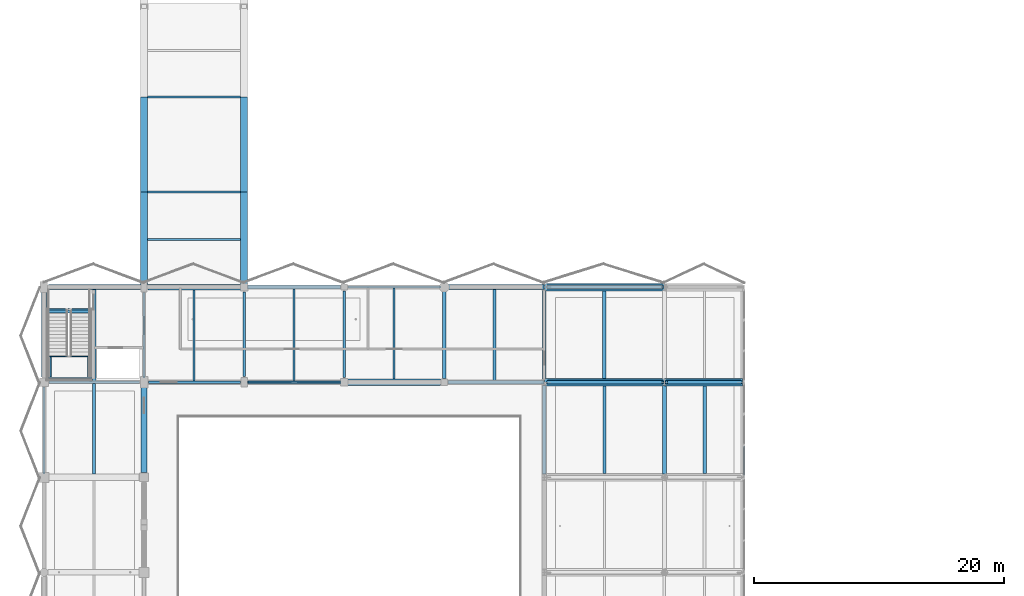
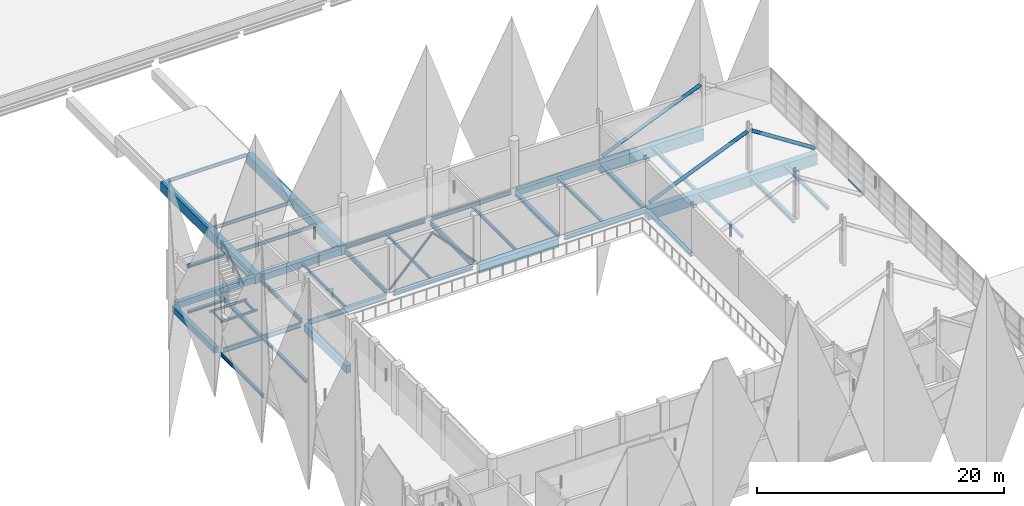
# One storey, part 16 of 107: 45 beams, 6 members, 1 element without a shape of its own.
"""IFC4 building model written with IfcOpenShell, lengths in metres."""

from ifc_helpers import new_model, si_unit, direction, frame, origin, origin_2d, place, context, subcontext, project, spatial, rectangle, hollow_rectangle, hollow_circle, i_section, extrude, material, material_profile, profile_set, type_object, element, aggregate, save


model = new_model("IFC4")

# Units and contexts
model_context = context("Model", 3, precision=1e-05, world=origin(), true_north=direction((0.0, 1.0)))
body_context = subcontext(model_context, "Body", "Model", "MODEL_VIEW")
ifc_project = project(units=[si_unit("LENGTHUNIT", "METRE"), si_unit("AREAUNIT", "SQUARE_METRE"), si_unit("VOLUMEUNIT", "CUBIC_METRE"), si_unit("PLANEANGLEUNIT", "RADIAN"), si_unit("MASSUNIT", "GRAM", prefix="KILO")], contexts=[model_context])

# Site, building, storey
site_placement = place(None, origin())
site = spatial("IfcSite", under=ifc_project, at=site_placement, CompositionType="ELEMENT")
building_placement = place(site_placement, origin())
building = spatial("IfcBuilding", under=site, at=building_placement, Name="Khelvaren Railside Concert Hall", CompositionType="ELEMENT")
storey_placement = place(building_placement, frame((0.0, 0.0, 15.0)))
storey = spatial("IfcBuildingStorey", under=building, at=storey_placement, Name="L03", CompositionType="ELEMENT", Elevation=15.0)

# Beams
ifc_material_1 = material(Name="Steel S355", Category="steel")
ifc_material_profile_1 = material_profile(ifc_material_1, i_section(OverallWidth=0.300048828125, OverallDepth=0.389892578125, WebThickness=0.010986328125, FlangeThickness=0.01904296875, FilletRadius=0.027099609375, at=origin_2d()), Name="HEA 400")
ifc_profile_set_1 = profile_set([ifc_material_profile_1], Name="Steel S355")
beam_type_1 = type_object("IfcBeamType", Name="BM23", PredefinedType="BEAM", material=ifc_profile_set_1)
for number, where, z_axis, x_axis, name in (
    (1, (40.0, 38.25, -0.47509765625), (0.0, 1.0, 0.0), (-1.0, 0.0, 0.0), "V1 L03 Beam Y6.6"),
    (2, (49.60009765625, 30.64990234375, -0.47509765625), (0.0, 1.0, 0.0), (-1.0, 0.0, 0.0), "V1 L03 Beam Y7.5"),
):
    element("IfcBeam", number, at=place(storey_placement, frame(where, z_axis=z_axis, x_axis=x_axis)), inside=storey, type_object=beam_type_1, Name=name, PredefinedType="BEAM", context=body_context, shape_type="SweptSolid", body=[
        extrude(i_section(OverallWidth=0.300048828125, OverallDepth=0.389892578125, WebThickness=0.010986328125, FlangeThickness=0.01904296875, FilletRadius=0.027099609375, at=origin_2d()), origin(), (0.0, 0.0, 1.0), 7.10009765625),
    ])
ifc_material_profile_2 = material_profile(ifc_material_1, i_section(OverallWidth=0.179931640625, OverallDepth=0.39990234375, WebThickness=0.008544921875, FlangeThickness=0.013427734375, FilletRadius=0.02099609375, at=origin_2d()), Name="IPE 400")
ifc_profile_set_2 = profile_set([ifc_material_profile_2], Name="Steel S355")
beam_type_2 = type_object("IfcBeamType", Name="BM29", PredefinedType="BEAM", material=ifc_profile_set_2)
beam_1_placement = place(storey_placement, frame((8.0, 38.35009765625, -0.47998046875), z_axis=(0.0, 1.0, 0.0), x_axis=(-1.0, 0.0, 0.0)))
element("IfcBeam", 3, at=beam_1_placement, inside=storey, type_object=beam_type_2, Name="V1 L03 Beam Y2.6", PredefinedType="BEAM", context=body_context, shape_type="SweptSolid", body=[
    extrude(i_section(OverallWidth=0.179931640625, OverallDepth=0.39990234375, WebThickness=0.008544921875, FlangeThickness=0.013427734375, FilletRadius=0.02099609375, at=origin_2d()), origin(), (0.0, 0.0, 1.0), 6.7998046875),
])
ifc_material_profile_3 = material_profile(ifc_material_1, i_section(OverallWidth=0.239990234375, OverallDepth=0.22998046875, WebThickness=0.007568359375, FlangeThickness=0.011962890625, FilletRadius=0.02099609375, at=origin_2d()), Name="HEA 240")
ifc_profile_set_3 = profile_set([ifc_material_profile_3], Name="Steel S355")
beam_type_3 = type_object("IfcBeamType", Name="BM42", PredefinedType="BEAM", material=ifc_profile_set_3)
beam_2_placement = place(storey_placement, frame((0.344970703125, 43.63916015625, -0.114990234375), z_axis=(1.0, 0.0, 0.0), x_axis=(0.0, 1.0, 0.0)))
element("IfcBeam", 4, at=beam_2_placement, inside=storey, type_object=beam_type_3, Name="ST-11 L03 Stair Foot Trimmer Beam", PredefinedType="BEAM", context=body_context, shape_type="SweptSolid", body=[
    extrude(i_section(OverallWidth=0.239990234375, OverallDepth=0.22998046875, WebThickness=0.007568359375, FlangeThickness=0.011962890625, FilletRadius=0.02099609375, at=origin_2d()), origin(), (0.0, 0.0, 1.0), 3.4951171875),
])
ifc_material_profile_4 = material_profile(ifc_material_1, i_section(OverallWidth=0.199951171875, OverallDepth=0.5, WebThickness=0.01025390625, FlangeThickness=0.01611328125, FilletRadius=0.02099609375, at=origin_2d()), Name="IPE 500")
ifc_profile_set_4 = profile_set([ifc_material_profile_4], Name="Steel S355")
beam_type_4 = type_object("IfcBeamType", Name="BM62", PredefinedType="BEAM", material=ifc_profile_set_4)
beam_3_placement = place(storey_placement, frame((8.35009765625, 38.0, -0.530029296875), z_axis=(1.0, 0.0, 0.0), x_axis=(0.0, 1.0, 0.0)))
element("IfcBeam", 5, at=beam_3_placement, inside=storey, type_object=beam_type_4, Name="V1 L03 Beam X6.2", PredefinedType="BEAM", context=body_context, shape_type="SweptSolid", body=[
    extrude(i_section(OverallWidth=0.199951171875, OverallDepth=0.5, WebThickness=0.01025390625, FlangeThickness=0.01611328125, FilletRadius=0.02099609375, at=origin_2d()), origin(), (0.0, 0.0, 1.0), 7.349853515625),
])
beam_4_placement = place(storey_placement, frame((24.0, 38.375, -0.530029296875), z_axis=(0.0, 1.0, 0.0), x_axis=(-1.0, 0.0, 0.0)))
element("IfcBeam", 6, at=beam_4_placement, inside=storey, type_object=beam_type_4, Name="V1 L03 Beam Y4.6", PredefinedType="BEAM", context=body_context, shape_type="SweptSolid", body=[
    extrude(i_section(OverallWidth=0.199951171875, OverallDepth=0.5, WebThickness=0.01025390625, FlangeThickness=0.01611328125, FilletRadius=0.02099609375, at=origin_2d()), origin(), (0.0, 0.0, 1.0), 6.925048828125),
])
ifc_material_profile_5 = material_profile(ifc_material_1, i_section(OverallWidth=0.300048828125, OverallDepth=0.35009765625, WebThickness=0.010009765625, FlangeThickness=0.017578125, FilletRadius=0.027099609375, at=origin_2d()), Name="HEA 360")
ifc_profile_set_5 = profile_set([ifc_material_profile_5], Name="Steel S355")
beam_type_5 = type_object("IfcBeamType", Name="BM73", PredefinedType="BEAM", material=ifc_profile_set_5)
beam_5_placement = place(storey_placement, frame((16.300048828125, 38.0, -0.455078125), z_axis=(1.0, 0.0, 0.0), x_axis=(0.0, 1.0, 0.0)))
element("IfcBeam", 7, at=beam_5_placement, inside=storey, type_object=beam_type_5, Name="V1 L03 Beam X6.3", PredefinedType="BEAM", context=body_context, shape_type="SweptSolid", body=[
    extrude(i_section(OverallWidth=0.300048828125, OverallDepth=0.35009765625, WebThickness=0.010009765625, FlangeThickness=0.017578125, FilletRadius=0.027099609375, at=origin_2d()), origin(), (0.0, 0.0, 1.0), 7.449951171875),
])
beam_6_placement = place(storey_placement, frame((32.0, 38.300048828125, -0.455078125), z_axis=(0.0, 1.0, 0.0), x_axis=(-1.0, 0.0, 0.0)))
element("IfcBeam", 8, at=beam_6_placement, inside=storey, type_object=beam_type_5, Name="V1 L03 Beam Y5.6", PredefinedType="BEAM", context=body_context, shape_type="SweptSolid", body=[
    extrude(i_section(OverallWidth=0.300048828125, OverallDepth=0.35009765625, WebThickness=0.010009765625, FlangeThickness=0.017578125, FilletRadius=0.027099609375, at=origin_2d()), origin(), (0.0, 0.0, 1.0), 7.050048828125),
])
beam_7_placement = place(storey_placement, frame((40.0, 30.64990234375, -0.455078125), z_axis=(0.0, 1.0, 0.0), x_axis=(-1.0, 0.0, 0.0)))
element("IfcBeam", 9, at=beam_7_placement, inside=storey, type_object=beam_type_5, Name="V1 L03 Beam Y6.5", PredefinedType="BEAM", context=body_context, shape_type="SweptSolid", body=[
    extrude(i_section(OverallWidth=0.300048828125, OverallDepth=0.35009765625, WebThickness=0.010009765625, FlangeThickness=0.017578125, FilletRadius=0.027099609375, at=origin_2d()), origin(), (0.0, 0.0, 1.0), 7.10009765625),
])
ifc_material_2 = material(Name="Concrete C40/50", Category="concrete")
ifc_material_profile_6 = material_profile(ifc_material_2, rectangle(XDim=0.449951171875, YDim=0.75, at=origin_2d()), Name="RCB 450x750")
ifc_profile_set_6 = profile_set([ifc_material_profile_6], Name="Concrete C40/50")
beam_type_6 = type_object("IfcBeamType", Name="BM83", PredefinedType="BEAM", material=ifc_profile_set_6)
beam_8_placement = place(storey_placement, frame((8.0, 30.800048828125, -0.655029296875), z_axis=(0.0, 1.0, 0.0), x_axis=(-1.0, 0.0, 0.0)))
element("IfcBeam", 10, at=beam_8_placement, inside=storey, type_object=beam_type_6, Name="V1 L03 Beam Y2.5", PredefinedType="BEAM", context=body_context, shape_type="SweptSolid", body=[
    extrude(rectangle(XDim=0.449951171875, YDim=0.75, at=origin_2d()), origin(), (0.0, 0.0, 1.0), 6.849853515625),
])
ifc_material_profile_7 = material_profile(ifc_material_1, i_section(OverallWidth=0.110107421875, OverallDepth=0.219970703125, WebThickness=0.005859375, FlangeThickness=0.00927734375, FilletRadius=0.011962890625, at=origin_2d()), Name="IPE 220")
ifc_profile_set_7 = profile_set([ifc_material_profile_7], Name="Steel S355")
beam_type_7 = type_object("IfcBeamType", Name="BM87", PredefinedType="BEAM", material=ifc_profile_set_7)
for number, where, z_axis, x_axis, name in (
    (11, (0.344970703125, 40.054931640625, 2.090087890625), (1.0, 0.0, 0.0), (0.0, 1.0, 0.0), "ST-11 L03 Half-Landing Front Beam"),
    (12, (0.344970703125, 38.360107421875, 2.090087890625), (1.0, 0.0, 0.0), (0.0, 1.0, 0.0), "ST-11 L03 Half-Landing Rear Beam"),
):
    element("IfcBeam", number, at=place(storey_placement, frame(where, z_axis=z_axis, x_axis=x_axis)), inside=storey, type_object=beam_type_7, Name=name, PredefinedType="BEAM", context=body_context, shape_type="SweptSolid", body=[
        extrude(i_section(OverallWidth=0.110107421875, OverallDepth=0.219970703125, WebThickness=0.005859375, FlangeThickness=0.00927734375, FilletRadius=0.011962890625, at=origin_2d()), origin(), (0.0, 0.0, 1.0), 3.4951171875),
    ])
for number, where, z_axis, x_axis, name in (
    (13, (0.550048828125, 38.4150390625, 2.090087890625), (0.0, 1.0, 0.0), (-1.0, 0.0, 0.0), "ST-11 L03 Half-Landing Side Tie W"),
    (14, (3.550048828125, 38.4150390625, 2.090087890625), (0.0, 1.0, 0.0), (-1.0, 0.0, 0.0), "ST-11 L03 Half-Landing Side Tie E"),
):
    element("IfcBeam", number, at=place(storey_placement, frame(where, z_axis=z_axis, x_axis=x_axis)), inside=storey, type_object=beam_type_7, Name=name, PredefinedType="BEAM", context=body_context, shape_type="SweptSolid", body=[
        extrude(i_section(OverallWidth=0.110107421875, OverallDepth=0.219970703125, WebThickness=0.005859375, FlangeThickness=0.00927734375, FilletRadius=0.011962890625, at=origin_2d()), origin(), (0.0, 0.0, 1.0), 1.5849609375),
    ])
ifc_material_profile_8 = material_profile(ifc_material_1, i_section(OverallWidth=0.300048828125, OverallDepth=0.43994140625, WebThickness=0.011474609375, FlangeThickness=0.02099609375, FilletRadius=0.027099609375, at=origin_2d()), Name="HEA 450")
ifc_profile_set_8 = profile_set([ifc_material_profile_8], Name="Steel S355")
beam_type_8 = type_object("IfcBeamType", Name="BM89", PredefinedType="BEAM", material=ifc_profile_set_8)
beam_9_placement = place(storey_placement, frame((32.300048828125, 38.0, -0.5), z_axis=(1.0, 0.0, 0.0), x_axis=(0.0, 1.0, 0.0)))
element("IfcBeam", 15, at=beam_9_placement, inside=storey, type_object=beam_type_8, Name="V1 L03 Beam X6.5", PredefinedType="BEAM", context=body_context, shape_type="SweptSolid", body=[
    extrude(i_section(OverallWidth=0.300048828125, OverallDepth=0.43994140625, WebThickness=0.011474609375, FlangeThickness=0.02099609375, FilletRadius=0.027099609375, at=origin_2d()), origin(), (0.0, 0.0, 1.0), 7.68994140625),
])
ifc_material_profile_9 = material_profile(ifc_material_1, i_section(OverallWidth=0.280029296875, OverallDepth=0.27001953125, WebThickness=0.008056640625, FlangeThickness=0.012939453125, FilletRadius=0.02392578125, at=origin_2d()), Name="HEA 280")
ifc_profile_set_9 = profile_set([ifc_material_profile_9], Name="Steel S355")
beam_type_9 = type_object("IfcBeamType", Name="BM93", PredefinedType="BEAM", material=ifc_profile_set_9)
beam_10_placement = place(storey_placement, frame((0.344970703125, 43.739990234375, 4.317626953125), z_axis=(1.0, 0.0, 0.0), x_axis=(0.0, 1.0, 0.0)))
element("IfcBeam", 16, at=beam_10_placement, inside=storey, type_object=beam_type_9, Name="ST-11 L03 Stair Top Arrival Trimmer Beam", PredefinedType="BEAM", context=body_context, shape_type="SweptSolid", body=[
    extrude(i_section(OverallWidth=0.280029296875, OverallDepth=0.27001953125, WebThickness=0.008056640625, FlangeThickness=0.012939453125, FilletRadius=0.02392578125, at=origin_2d()), origin(), (0.0, 0.0, 1.0), 3.4951171875),
])
ifc_material_profile_10 = material_profile(ifc_material_1, i_section(OverallWidth=0.18994140625, OverallDepth=0.449951171875, WebThickness=0.009521484375, FlangeThickness=0.0146484375, FilletRadius=0.02099609375, at=origin_2d()), Name="IPE 450")
ifc_profile_set_10 = profile_set([ifc_material_profile_10], Name="Steel S355")
beam_type_10 = type_object("IfcBeamType", Name="BM95", PredefinedType="BEAM", material=ifc_profile_set_10)
beam_11_placement = place(storey_placement, frame((0.39990234375, 38.0, -0.5048828125), z_axis=(1.0, 0.0, 0.0), x_axis=(0.0, 1.0, 0.0)))
element("IfcBeam", 17, at=beam_11_placement, inside=storey, type_object=beam_type_10, Name="V1 L03 Beam X6.1", PredefinedType="BEAM", context=body_context, shape_type="SweptSolid", body=[
    extrude(i_section(OverallWidth=0.18994140625, OverallDepth=0.449951171875, WebThickness=0.009521484375, FlangeThickness=0.0146484375, FilletRadius=0.02099609375, at=origin_2d()), origin(), (0.0, 0.0, 1.0), 7.25),
])
beam_12_placement = place(storey_placement, frame((16.0, 38.449951171875, -0.5048828125), z_axis=(0.0, 1.0, 0.0), x_axis=(-1.0, 0.0, 0.0)))
element("IfcBeam", 18, at=beam_12_placement, inside=storey, type_object=beam_type_10, Name="V1 L03 Beam Y3.6", PredefinedType="BEAM", context=body_context, shape_type="SweptSolid", body=[
    extrude(i_section(OverallWidth=0.18994140625, OverallDepth=0.449951171875, WebThickness=0.009521484375, FlangeThickness=0.0146484375, FilletRadius=0.02099609375, at=origin_2d()), origin(), (0.0, 0.0, 1.0), 6.775146484375),
])

# Members
ifc_material_profile_11 = material_profile(ifc_material_1, hollow_circle(Radius=0.109619140625, WallThickness=0.012451171875, at=origin_2d()), Name="CHS 219.1x12.5")
ifc_profile_set_11 = profile_set([ifc_material_profile_11], Name="Steel S355")
member_type_1 = type_object("IfcMemberType", Name="BR37", PredefinedType="BRACE", material=ifc_profile_set_11)
for number, where, z_axis, x_axis, name in (
    (19, (16.0, 38.0, 0.050048828125), (0.687079015736, 0.0, 0.726582704263), (0.0, 1.0, 0.0), "V1 L03 Seismic Chevron Brace 37"),
    (20, (24.0, 38.0, 0.050048828125), (-0.687079015736, 0.0, 0.726582704263), (0.0, -1.0, 0.0), "V1 L03 Seismic Chevron Brace 38"),
):
    element("IfcMember", number, at=place(storey_placement, frame(where, z_axis=z_axis, x_axis=x_axis)), inside=storey, type_object=member_type_1, Name=name, PredefinedType="BRACE", context=body_context, shape_type="SweptSolid", body=[
        extrude(hollow_circle(Radius=0.109619140625, WallThickness=0.012451171875, at=origin_2d()), origin(), (0.0, 0.0, 1.0), 5.82177734375),
    ])
ifc_material_profile_12 = material_profile(ifc_material_1, hollow_circle(Radius=0.161865234375, WallThickness=0.01611328125, at=origin_2d()), Name="CHS 323.9x16")
ifc_profile_set_12 = profile_set([ifc_material_profile_12], Name="Steel S355")
member_type_2 = type_object("IfcMemberType", Name="BR78", PredefinedType="BRACE", material=ifc_profile_set_12)
member_1_placement = place(storey_placement, frame((49.75, 38.0, 3.97998046875), z_axis=(0.840849865516, 0.0, -0.541268421083), x_axis=(0.0, 1.0, 0.0)))
element("IfcMember", 21, at=member_1_placement, inside=storey, type_object=member_type_2, Name="V1 L03 Plaza Cantilever Truss Diagonal 6A", PredefinedType="BRACE", context=body_context, shape_type="SweptSolid", body=[
    extrude(hollow_circle(Radius=0.161865234375, WallThickness=0.01611328125, at=origin_2d()), origin(), (0.0, 0.0, 1.0), 7.076171875),
])
for number, where, z_axis, x_axis, name in (
    (22, (40.25, 38.0, 0.14990234375), (0.923192127953, 0.0, 0.384338776194), (0.0, 1.0, 0.0), "V1 L03 Plaza Cantilever Truss Backspan Diagonal 6B"),
    (23, (40.25, 45.60009765625, 0.14990234375), (0.923192127953, 0.0, 0.384338776194), (0.0, 1.0, 0.0), "V1 L03 Plaza Cantilever Truss Backspan Diagonal 7B"),
):
    element("IfcMember", number, at=place(storey_placement, frame(where, z_axis=z_axis, x_axis=x_axis)), inside=storey, type_object=member_type_2, Name=name, PredefinedType="BRACE", context=body_context, shape_type="SweptSolid", body=[
        extrude(hollow_circle(Radius=0.161865234375, WallThickness=0.01611328125, at=origin_2d()), origin(), (0.0, 0.0, 1.0), 9.96533203125),
    ])

# Curtain wall, member
ifc_material_3 = material(Name="Acoustic laminated crystal facade glass", Category="glass")
curtain_wall_type = type_object("IfcCurtainWallType", Name="CW21", PredefinedType="USERDEFINED", material=ifc_material_3)
curtain_wall_placement = place(storey_placement, origin())
curtain_wall = element("IfcCurtainWall", 24, at=curtain_wall_placement, inside=storey, type_object=curtain_wall_type, Name="Unitised Curtain Wall CW-V1-L03-E-30", ObjectType="UNITISED CURTAIN WALL", PredefinedType="USERDEFINED")
ifc_material_4 = material(Name="Anodised architectural aluminium 6063-T6", Category="aluminium")
ifc_material_profile_13 = material_profile(ifc_material_4, hollow_rectangle(XDim=0.0849609375, YDim=0.18994140625, WallThickness=0.0048828125, InnerFilletRadius=0.0029296875, OuterFilletRadius=0.0048828125, at=origin_2d()), Name="CWT 85x190x5")
ifc_profile_set_13 = profile_set([ifc_material_profile_13], Name="Anodised architectural aluminium 6063-T6")
member_type_3 = type_object("IfcMemberType", Name="CWT31", PredefinedType="USERDEFINED", material=ifc_profile_set_13)
member_2_placement = place(storey_placement, frame((55.93994140625, 32.904052734375, 0.04248046875), z_axis=(0.0, -1.0, 0.0), x_axis=(1.0, 0.0, 0.0)))
member_2 = element("IfcMember", 25, at=member_2_placement, type_object=member_type_3, Name="CW21 transom 3.1", ObjectType="TRANSOM", PredefinedType="USERDEFINED", context=body_context, shape_type="SweptSolid", body=[
    extrude(hollow_rectangle(XDim=0.0849609375, YDim=0.18994140625, WallThickness=0.0048828125, InnerFilletRadius=0.0029296875, OuterFilletRadius=0.0048828125, at=origin_2d()), origin(), (0.0, 0.0, 1.0), 2.379150390625),
])
aggregate(curtain_wall, [member_2])

# Beams
ifc_material_profile_14 = material_profile(ifc_material_2, rectangle(XDim=0.60009765625, YDim=1.10009765625, at=origin_2d()), Name="RCB 600x1100")
ifc_profile_set_14 = profile_set([ifc_material_profile_14], Name="Concrete C40/50")
beam_type_11 = type_object("IfcBeamType", Name="GR15", PredefinedType="T_BEAM", material=ifc_profile_set_14)
beam_13_placement = place(storey_placement, frame((40.010009765625, 38.0, -0.830078125), z_axis=(1.0, 0.0, 0.0), x_axis=(0.0, 1.0, 0.0)))
element("IfcBeam", 26, at=beam_13_placement, inside=storey, type_object=beam_type_11, Name="V1 L03 Cantilever Backspan Girder 6", PredefinedType="T_BEAM", context=body_context, shape_type="SweptSolid", body=[
    extrude(rectangle(XDim=0.60009765625, YDim=1.10009765625, at=origin_2d()), origin(), (0.0, 0.0, 1.0), 9.580078125),
])
beam_14_placement = place(storey_placement, frame((49.610107421875, 38.0, -0.830078125), z_axis=(1.0, 0.0, 0.0), x_axis=(0.0, 1.0, 0.0)))
element("IfcBeam", 27, at=beam_14_placement, inside=storey, type_object=beam_type_11, Name="V1 L03 Arrival Cantilever Girder 6", PredefinedType="T_BEAM", context=body_context, shape_type="SweptSolid", body=[
    extrude(rectangle(XDim=0.60009765625, YDim=1.10009765625, at=origin_2d()), origin(), (0.0, 0.0, 1.0), 6.239990234375),
])
beam_15_placement = place(storey_placement, frame((40.010009765625, 45.60009765625, -0.830078125), z_axis=(1.0, 0.0, 0.0), x_axis=(0.0, 1.0, 0.0)))
element("IfcBeam", 28, at=beam_15_placement, inside=storey, type_object=beam_type_11, Name="V1 L03 Cantilever Backspan Girder 7", PredefinedType="T_BEAM", context=body_context, shape_type="SweptSolid", body=[
    extrude(rectangle(XDim=0.60009765625, YDim=1.10009765625, at=origin_2d()), origin(), (0.0, 0.0, 1.0), 9.580078125),
])
ifc_material_profile_15 = material_profile(ifc_material_2, rectangle(XDim=0.550048828125, YDim=0.949951171875, at=origin_2d()), Name="RCB 550x950")
ifc_profile_set_15 = profile_set([ifc_material_profile_15], Name="Concrete C40/50")
beam_type_12 = type_object("IfcBeamType", Name="GR75", PredefinedType="T_BEAM", material=ifc_profile_set_15)
beam_16_placement = place(storey_placement, frame((8.0, 45.60009765625, -0.695068359375), z_axis=(0.0, 1.0, 0.0), x_axis=(-1.0, 0.0, 0.0)))
element("IfcBeam", 29, at=beam_16_placement, inside=storey, type_object=beam_type_12, Name="West Court Chamber Link Bridge L03 Bridge Girder 1.1", PredefinedType="T_BEAM", context=body_context, shape_type="SweptSolid", body=[
    extrude(rectangle(XDim=0.550048828125, YDim=0.949951171875, at=origin_2d()), origin(), (0.0, 0.0, 1.0), 7.599853515625),
])
beam_17_placement = place(storey_placement, frame((8.0, 53.199951171875, -0.695068359375), z_axis=(0.0, 1.0, 0.0), x_axis=(-1.0, 0.0, 0.0)))
element("IfcBeam", 30, at=beam_17_placement, inside=storey, type_object=beam_type_12, Name="West Court Chamber Link Bridge L03 Bridge Girder 1.2", PredefinedType="T_BEAM", context=body_context, shape_type="SweptSolid", body=[
    extrude(rectangle(XDim=0.550048828125, YDim=0.949951171875, at=origin_2d()), origin(), (0.0, 0.0, 1.0), 7.60009765625),
])
beam_18_placement = place(storey_placement, frame((16.0, 45.60009765625, -0.695068359375), z_axis=(0.0, 1.0, 0.0), x_axis=(-1.0, 0.0, 0.0)))
element("IfcBeam", 31, at=beam_18_placement, inside=storey, type_object=beam_type_12, Name="West Court Chamber Link Bridge L03 Bridge Girder 2.1", PredefinedType="T_BEAM", context=body_context, shape_type="SweptSolid", body=[
    extrude(rectangle(XDim=0.550048828125, YDim=0.949951171875, at=origin_2d()), origin(), (0.0, 0.0, 1.0), 7.599853515625),
])
beam_19_placement = place(storey_placement, frame((16.0, 53.199951171875, -0.695068359375), z_axis=(0.0, 1.0, 0.0), x_axis=(-1.0, 0.0, 0.0)))
element("IfcBeam", 32, at=beam_19_placement, inside=storey, type_object=beam_type_12, Name="West Court Chamber Link Bridge L03 Bridge Girder 2.2", PredefinedType="T_BEAM", context=body_context, shape_type="SweptSolid", body=[
    extrude(rectangle(XDim=0.550048828125, YDim=0.949951171875, at=origin_2d()), origin(), (0.0, 0.0, 1.0), 7.60009765625),
])
ifc_material_profile_16 = material_profile(ifc_material_2, rectangle(XDim=0.5, YDim=0.85009765625, at=origin_2d()), Name="RCB 500x850")
ifc_profile_set_16 = profile_set([ifc_material_profile_16], Name="Concrete C40/50")
beam_type_13 = type_object("IfcBeamType", Name="GR96", PredefinedType="T_BEAM", material=ifc_profile_set_16)
beam_20_placement = place(storey_placement, frame((24.25, 38.0, -0.705078125), z_axis=(1.0, 0.0, 0.0), x_axis=(0.0, 1.0, 0.0)))
element("IfcBeam", 33, at=beam_20_placement, inside=storey, type_object=beam_type_13, Name="V1 L03 T_Beam X6.4", PredefinedType="T_BEAM", context=body_context, shape_type="SweptSolid", body=[
    extrude(rectangle(XDim=0.5, YDim=0.85009765625, at=origin_2d()), origin(), (0.0, 0.0, 1.0), 7.449951171875),
])
ifc_material_profile_17 = material_profile(ifc_material_1, i_section(OverallWidth=0.14990234375, OverallDepth=0.300048828125, WebThickness=0.007080078125, FlangeThickness=0.0107421875, FilletRadius=0.014892578125, at=origin_2d()), Name="IPE 300")
ifc_profile_set_17 = profile_set([ifc_material_profile_17], Name="Steel S355")
beam_type_14 = type_object("IfcBeamType", Name="JS26", PredefinedType="JOIST", material=ifc_profile_set_17)
beam_21_placement = place(storey_placement, frame((20.0, 38.14990234375, -0.429931640625), z_axis=(0.0, 1.0, 0.0), x_axis=(-1.0, 0.0, 0.0)))
element("IfcBeam", 34, at=beam_21_placement, inside=storey, type_object=beam_type_14, Name="V1 L03 Secondary Joist 3.6", PredefinedType="JOIST", context=body_context, shape_type="SweptSolid", body=[
    extrude(i_section(OverallWidth=0.14990234375, OverallDepth=0.300048828125, WebThickness=0.007080078125, FlangeThickness=0.0107421875, FilletRadius=0.014892578125, at=origin_2d()), origin(), (0.0, 0.0, 1.0), 7.300048828125),
])
ifc_material_profile_18 = material_profile(ifc_material_1, i_section(OverallWidth=0.280029296875, OverallDepth=0.27001953125, WebThickness=0.008056640625, FlangeThickness=0.012939453125, FilletRadius=0.02392578125, at=origin_2d()), Name="HEA 280")
ifc_profile_set_18 = profile_set([ifc_material_profile_18], Name="Steel S355")
beam_type_15 = type_object("IfcBeamType", Name="JS46", PredefinedType="JOIST", material=ifc_profile_set_18)
beam_22_placement = place(storey_placement, frame((4.0, 38.094970703125, -0.4150390625), z_axis=(0.0, 1.0, 0.0), x_axis=(-1.0, 0.0, 0.0)))
element("IfcBeam", 35, at=beam_22_placement, inside=storey, type_object=beam_type_15, Name="V1 L03 Secondary Joist 1.6", PredefinedType="JOIST", context=body_context, shape_type="SweptSolid", body=[
    extrude(i_section(OverallWidth=0.280029296875, OverallDepth=0.27001953125, WebThickness=0.008056640625, FlangeThickness=0.012939453125, FilletRadius=0.02392578125, at=origin_2d()), origin(), (0.0, 0.0, 1.0), 7.304931640625),
])
for number, where, z_axis, x_axis, name in (
    (36, (44.800048828125, 38.300048828125, -0.4150390625), (0.0, 1.0, 0.0), (-1.0, 0.0, 0.0), "V1 L03 Secondary Joist 6.6"),
    (37, (52.800048828125, 30.699951171875, -0.4150390625), (0.0, 1.0, 0.0), (-1.0, 0.0, 0.0), "V1 L03 Secondary Joist 7.5"),
):
    element("IfcBeam", number, at=place(storey_placement, frame(where, z_axis=z_axis, x_axis=x_axis)), inside=storey, type_object=beam_type_15, Name=name, PredefinedType="JOIST", context=body_context, shape_type="SweptSolid", body=[
        extrude(i_section(OverallWidth=0.280029296875, OverallDepth=0.27001953125, WebThickness=0.008056640625, FlangeThickness=0.012939453125, FilletRadius=0.02392578125, at=origin_2d()), origin(), (0.0, 0.0, 1.0), 7.0),
    ])
ifc_material_profile_19 = material_profile(ifc_material_1, i_section(OverallWidth=0.159912109375, OverallDepth=0.330078125, WebThickness=0.007568359375, FlangeThickness=0.011474609375, FilletRadius=0.01806640625, at=origin_2d()), Name="IPE 330")
ifc_profile_set_19 = profile_set([ifc_material_profile_19], Name="Steel S355")
beam_type_16 = type_object("IfcBeamType", Name="JS65", PredefinedType="JOIST", material=ifc_profile_set_19)
for number, where, z_axis, x_axis, name in (
    (38, (8.27490234375, 53.199951171875, -0.385009765625), (1.0, 0.0, 0.0), (0.0, 1.0, 0.0), "West Court Chamber Link Bridge L03 Bridge Cross Joist 1"),
    (39, (8.27490234375, 60.800048828125, -0.385009765625), (1.0, 0.0, 0.0), (0.0, 1.0, 0.0), "West Court Chamber Link Bridge L03 Bridge Cross Joist 2"),
    (40, (8.27490234375, 49.39990234375, -0.385009765625), (1.0, 0.0, 0.0), (0.0, 1.0, 0.0), "West Court Chamber Link Bridge L03 Bridge Cross Joist 3"),
):
    element("IfcBeam", number, at=place(storey_placement, frame(where, z_axis=z_axis, x_axis=x_axis)), inside=storey, type_object=beam_type_16, Name=name, PredefinedType="JOIST", context=body_context, shape_type="SweptSolid", body=[
        extrude(i_section(OverallWidth=0.159912109375, OverallDepth=0.330078125, WebThickness=0.007568359375, FlangeThickness=0.011474609375, FilletRadius=0.01806640625, at=origin_2d()), origin(), (0.0, 0.0, 1.0), 7.4501953125),
    ])
beam_23_placement = place(storey_placement, frame((28.0, 38.25, -0.445068359375), z_axis=(0.0, 1.0, 0.0), x_axis=(-1.0, 0.0, 0.0)))
element("IfcBeam", 41, at=beam_23_placement, inside=storey, type_object=beam_type_16, Name="V1 L03 Secondary Joist 4.6", PredefinedType="JOIST", context=body_context, shape_type="SweptSolid", body=[
    extrude(i_section(OverallWidth=0.159912109375, OverallDepth=0.330078125, WebThickness=0.007568359375, FlangeThickness=0.011474609375, FilletRadius=0.01806640625, at=origin_2d()), origin(), (0.0, 0.0, 1.0), 7.264892578125),
])
ifc_material_profile_20 = material_profile(ifc_material_1, i_section(OverallWidth=0.239990234375, OverallDepth=0.22998046875, WebThickness=0.007568359375, FlangeThickness=0.011962890625, FilletRadius=0.02099609375, at=origin_2d()), Name="HEA 240")
ifc_profile_set_20 = profile_set([ifc_material_profile_20], Name="Steel S355")
beam_type_17 = type_object("IfcBeamType", Name="JS76", PredefinedType="JOIST", material=ifc_profile_set_20)
beam_24_placement = place(storey_placement, frame((4.0, 30.675048828125, -0.39501953125), z_axis=(0.0, 1.0, 0.0), x_axis=(-1.0, 0.0, 0.0)))
element("IfcBeam", 42, at=beam_24_placement, inside=storey, type_object=beam_type_17, Name="V1 L03 Secondary Joist 1.5", PredefinedType="JOIST", context=body_context, shape_type="SweptSolid", body=[
    extrude(i_section(OverallWidth=0.239990234375, OverallDepth=0.22998046875, WebThickness=0.007568359375, FlangeThickness=0.011962890625, FilletRadius=0.02099609375, at=origin_2d()), origin(), (0.0, 0.0, 1.0), 7.22998046875),
])
beam_25_placement = place(storey_placement, frame((36.0, 38.14990234375, -0.39501953125), z_axis=(0.0, 1.0, 0.0), x_axis=(-1.0, 0.0, 0.0)))
element("IfcBeam", 43, at=beam_25_placement, inside=storey, type_object=beam_type_17, Name="V1 L03 Secondary Joist 5.6", PredefinedType="JOIST", context=body_context, shape_type="SweptSolid", body=[
    extrude(i_section(OverallWidth=0.239990234375, OverallDepth=0.22998046875, WebThickness=0.007568359375, FlangeThickness=0.011962890625, FilletRadius=0.02099609375, at=origin_2d()), origin(), (0.0, 0.0, 1.0), 7.25),
])
beam_26_placement = place(storey_placement, frame((44.800048828125, 30.699951171875, -0.39501953125), z_axis=(0.0, 1.0, 0.0), x_axis=(-1.0, 0.0, 0.0)))
element("IfcBeam", 44, at=beam_26_placement, inside=storey, type_object=beam_type_17, Name="V1 L03 Secondary Joist 6.5", PredefinedType="JOIST", context=body_context, shape_type="SweptSolid", body=[
    extrude(i_section(OverallWidth=0.239990234375, OverallDepth=0.22998046875, WebThickness=0.007568359375, FlangeThickness=0.011962890625, FilletRadius=0.02099609375, at=origin_2d()), origin(), (0.0, 0.0, 1.0), 7.0),
])
ifc_material_profile_21 = material_profile(ifc_material_1, i_section(OverallWidth=0.135009765625, OverallDepth=0.27001953125, WebThickness=0.006591796875, FlangeThickness=0.01025390625, FilletRadius=0.014892578125, at=origin_2d()), Name="IPE 270")
ifc_profile_set_21 = profile_set([ifc_material_profile_21], Name="Steel S355")
beam_type_18 = type_object("IfcBeamType", Name="JS78", PredefinedType="JOIST", material=ifc_profile_set_21)
beam_27_placement = place(storey_placement, frame((12.0, 38.10009765625, -0.4150390625), z_axis=(0.0, 1.0, 0.0), x_axis=(-1.0, 0.0, 0.0)))
element("IfcBeam", 45, at=beam_27_placement, inside=storey, type_object=beam_type_18, Name="V1 L03 Secondary Joist 2.6", PredefinedType="JOIST", context=body_context, shape_type="SweptSolid", body=[
    extrude(i_section(OverallWidth=0.135009765625, OverallDepth=0.27001953125, WebThickness=0.006591796875, FlangeThickness=0.01025390625, FilletRadius=0.014892578125, at=origin_2d()), origin(), (0.0, 0.0, 1.0), 7.27490234375),
])
ifc_material_profile_22 = material_profile(ifc_material_2, rectangle(XDim=0.449951171875, YDim=0.64990234375, at=origin_2d()), Name="RCB 450x650")
ifc_profile_set_22 = profile_set([ifc_material_profile_22], Name="Concrete C40/50")
beam_type_19 = type_object("IfcBeamType", Name="SP34", PredefinedType="SPANDREL", material=ifc_profile_set_22)
beam_28_placement = place(storey_placement, frame((8.300048828125, 45.60009765625, -0.60498046875), z_axis=(1.0, 0.0, 0.0), x_axis=(0.0, 1.0, 0.0)))
element("IfcBeam", 46, at=beam_28_placement, inside=storey, type_object=beam_type_19, Name="V1 L03 Spandrel X7.2", PredefinedType="SPANDREL", context=body_context, shape_type="SweptSolid", body=[
    extrude(rectangle(XDim=0.449951171875, YDim=0.64990234375, at=origin_2d()), origin(), (0.0, 0.0, 1.0), 7.449951171875),
])
ifc_material_profile_23 = material_profile(ifc_material_1, i_section(OverallWidth=0.300048828125, OverallDepth=0.31005859375, WebThickness=0.009033203125, FlangeThickness=0.015380859375, FilletRadius=0.027099609375, at=origin_2d()), Name="HEA 320")
ifc_profile_set_23 = profile_set([ifc_material_profile_23], Name="Steel S355")
beam_type_20 = type_object("IfcBeamType", Name="SP66", PredefinedType="SPANDREL", material=ifc_profile_set_23)
beam_29_placement = place(storey_placement, frame((16.25, 45.60009765625, -0.43505859375), z_axis=(1.0, 0.0, 0.0), x_axis=(0.0, 1.0, 0.0)))
element("IfcBeam", 47, at=beam_29_placement, inside=storey, type_object=beam_type_20, Name="V1 L03 Spandrel X7.3", PredefinedType="SPANDREL", context=body_context, shape_type="SweptSolid", body=[
    extrude(i_section(OverallWidth=0.300048828125, OverallDepth=0.31005859375, WebThickness=0.009033203125, FlangeThickness=0.015380859375, FilletRadius=0.027099609375, at=origin_2d()), origin(), (0.0, 0.0, 1.0), 7.449951171875),
])
ifc_material_profile_24 = material_profile(ifc_material_1, i_section(OverallWidth=0.169921875, OverallDepth=0.360107421875, WebThickness=0.008056640625, FlangeThickness=0.0126953125, FilletRadius=0.01806640625, at=origin_2d()), Name="IPE 360")
ifc_profile_set_24 = profile_set([ifc_material_profile_24], Name="Steel S355")
beam_type_21 = type_object("IfcBeamType", Name="SP74", PredefinedType="SPANDREL", material=ifc_profile_set_24)
beam_30_placement = place(storey_placement, frame((24.300048828125, 45.60009765625, -0.4599609375), z_axis=(1.0, 0.0, 0.0), x_axis=(0.0, 1.0, 0.0)))
element("IfcBeam", 48, at=beam_30_placement, inside=storey, type_object=beam_type_21, Name="V1 L03 Spandrel X7.4", PredefinedType="SPANDREL", context=body_context, shape_type="SweptSolid", body=[
    extrude(i_section(OverallWidth=0.169921875, OverallDepth=0.360107421875, WebThickness=0.008056640625, FlangeThickness=0.0126953125, FilletRadius=0.01806640625, at=origin_2d()), origin(), (0.0, 0.0, 1.0), 7.449951171875),
])
beam_31_placement = place(storey_placement, frame((0.0, 30.673095703125, -0.4599609375), z_axis=(0.0, 1.0, 0.0), x_axis=(-1.0, 0.0, 0.0)))
element("IfcBeam", 49, at=beam_31_placement, inside=storey, type_object=beam_type_21, Name="V1 L03 Spandrel Y1.5", PredefinedType="SPANDREL", context=body_context, shape_type="SweptSolid", body=[
    extrude(i_section(OverallWidth=0.169921875, OverallDepth=0.360107421875, WebThickness=0.008056640625, FlangeThickness=0.0126953125, FilletRadius=0.01806640625, at=origin_2d()), origin(), (0.0, 0.0, 1.0), 6.927001953125),
])
ifc_material_profile_25 = material_profile(ifc_material_2, rectangle(XDim=0.39990234375, YDim=0.60009765625, at=origin_2d()), Name="RCB 400x600")
ifc_profile_set_25 = profile_set([ifc_material_profile_25], Name="Concrete C40/50")
beam_type_22 = type_object("IfcBeamType", Name="SP75", PredefinedType="SPANDREL", material=ifc_profile_set_25)
beam_32_placement = place(storey_placement, frame((0.35009765625, 45.60009765625, -0.580078125), z_axis=(1.0, 0.0, 0.0), x_axis=(0.0, 1.0, 0.0)))
element("IfcBeam", 50, at=beam_32_placement, inside=storey, type_object=beam_type_22, Name="V1 L03 Spandrel X7.1", PredefinedType="SPANDREL", context=body_context, shape_type="SweptSolid", body=[
    extrude(rectangle(XDim=0.39990234375, YDim=0.60009765625, at=origin_2d()), origin(), (0.0, 0.0, 1.0), 7.349853515625),
])
beam_33_placement = place(storey_placement, frame((32.25, 45.60009765625, -0.580078125), z_axis=(1.0, 0.0, 0.0), x_axis=(0.0, 1.0, 0.0)))
element("IfcBeam", 51, at=beam_33_placement, inside=storey, type_object=beam_type_22, Name="V1 L03 Spandrel X7.5", PredefinedType="SPANDREL", context=body_context, shape_type="SweptSolid", body=[
    extrude(rectangle(XDim=0.39990234375, YDim=0.60009765625, at=origin_2d()), origin(), (0.0, 0.0, 1.0), 7.739990234375),
])
beam_34_placement = place(storey_placement, frame((0.0, 38.39990234375, -0.580078125), z_axis=(0.0, 1.0, 0.0), x_axis=(-1.0, 0.0, 0.0)))
element("IfcBeam", 52, at=beam_34_placement, inside=storey, type_object=beam_type_22, Name="V1 L03 Spandrel Y1.6", PredefinedType="SPANDREL", context=body_context, shape_type="SweptSolid", body=[
    extrude(rectangle(XDim=0.39990234375, YDim=0.60009765625, at=origin_2d()), origin(), (0.0, 0.0, 1.0), 6.85009765625),
])

save(model, "model.ifc")
